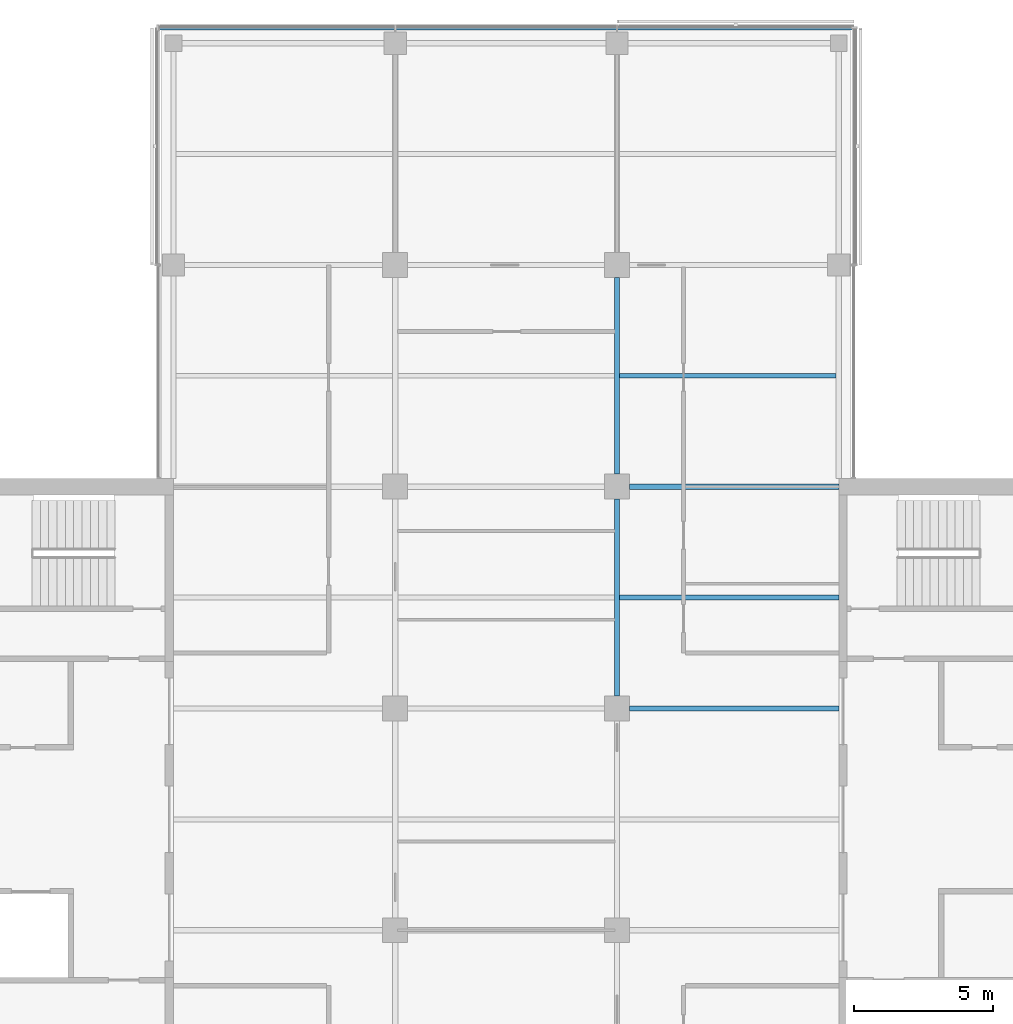
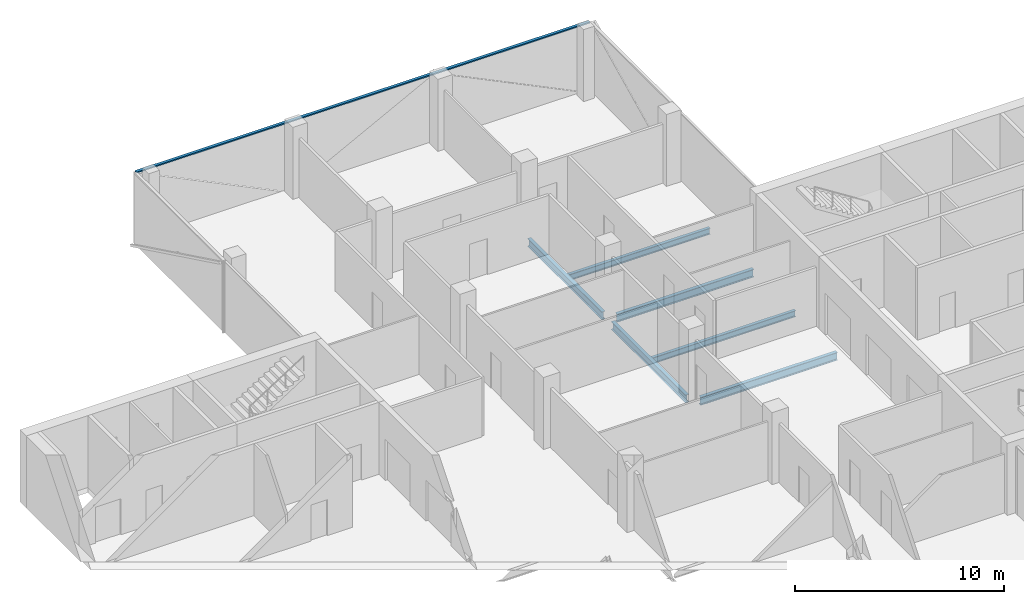
# One storey, part 6 of 15: 6 beams, 1 member, 1 element without a shape of its own.
"""IFC4 building model written with IfcOpenShell, lengths in metres."""

import ifcopenshell
import ifcopenshell.guid

model = None  # the IFC model being written
_history = None  # IfcOwnerHistory: only IFC2X3 demands one
_inside = {}  # id of a spatial element -> (the spatial element, [elements in it])
_under = {}  # id of a project, library or spatial element -> (it, [spatial elements below it])
_declared = {}  # id of a project -> (the project, [libraries it declares])
_typed = {}  # id of a type object -> (the type object, [elements of that type])
_made_of = {}  # id of a material, layer set ... -> (it, [elements and type objects made of it])


def new_model(schema):
    """Start an empty IFC model of exactly this schema.

    Asked for "IFC4X3", IfcOpenShell would pick the latest addendum, in which some entities
    have other attributes; the version numbers below select the first issue.
    IFC2X3 requires an IfcOwnerHistory on every rooted entity: one is made here for all.
    """
    global model, _history
    if schema == "IFC4X3":
        model = ifcopenshell.file(schema_version=(4, 3, 0, 0))
    else:
        model = ifcopenshell.file(schema=schema)
    _inside.clear()
    _under.clear()
    _declared.clear()
    _typed.clear()
    _made_of.clear()
    _history = None
    if model.schema == "IFC2X3":
        org = make("IfcOrganization", Name="unknown")
        user = make(
            "IfcPersonAndOrganization",
            ThePerson=make("IfcPerson", FamilyName="unknown"),
            TheOrganization=org,
        )
        app = make(
            "IfcApplication",
            ApplicationDeveloper=org,
            Version="unknown",
            ApplicationFullName="unknown",
            ApplicationIdentifier="unknown",
        )
        _history = make(
            "IfcOwnerHistory",
            OwningUser=user,
            OwningApplication=app,
            ChangeAction="ADDED",
            CreationDate=0,
        )
    return model


def make(cls, **values):
    """One entity of the class cls with the attributes given. An attribute that is None is left unset."""
    return model.create_entity(
        cls, **{name: value for name, value in values.items() if value is not None}
    )


def rooted(cls, **values):
    """An entity with a GlobalId (a new one), such as an element, a storey or a relation."""
    return make(cls, GlobalId=ifcopenshell.guid.new(), OwnerHistory=_history, **values)


def si_unit(unit_type, name, prefix=None):
    """IfcSIUnit, for example si_unit("LENGTHUNIT", "METRE", prefix="MILLI")."""
    return make("IfcSIUnit", UnitType=unit_type, Prefix=prefix, Name=name)


def assignment(units):
    """IfcUnitAssignment: the units of a project."""
    return None if units is None else make("IfcUnitAssignment", Units=units)


def point(xyz):
    """IfcCartesianPoint."""
    return None if xyz is None else make("IfcCartesianPoint", Coordinates=xyz)


def direction(xyz):
    """IfcDirection."""
    return None if xyz is None else make("IfcDirection", DirectionRatios=xyz)


def frame(location, z_axis=None, x_axis=None):
    """IfcAxis2Placement3D, a coordinate frame: its origin and axes. An axis left out is left unset."""
    return make(
        "IfcAxis2Placement3D",
        Location=point(location),
        Axis=direction(z_axis),
        RefDirection=direction(x_axis),
    )


def frame_2d(location, x_axis=None):
    """IfcAxis2Placement2D, a coordinate frame in the plane: its origin and x axis."""
    return make(
        "IfcAxis2Placement2D", Location=point(location), RefDirection=direction(x_axis)
    )


def origin():
    """The frame at (0, 0, 0) with its axes left unset."""
    return frame((0.0, 0.0, 0.0))


def origin_2d():
    """The frame at (0, 0) in the plane with its x axis left unset."""
    return frame_2d((0.0, 0.0))


def place(relative_to, where):
    """IfcLocalPlacement: puts the frame where relative to a parent placement (None: the world)."""
    return make(
        "IfcLocalPlacement", PlacementRelTo=relative_to, RelativePlacement=where
    )


def context(
    kind, dimensions, precision=None, world=None, true_north=None, identifier=None
):
    """IfcGeometricRepresentationContext, for example the 3D "Model" context."""
    return make(
        "IfcGeometricRepresentationContext",
        ContextIdentifier=identifier,
        ContextType=kind,
        CoordinateSpaceDimension=dimensions,
        Precision=precision,
        WorldCoordinateSystem=world,
        TrueNorth=true_north,
    )


def subcontext(parent, identifier, kind, view, scale=None):
    """IfcGeometricRepresentationSubContext, for example "Body" below "Model"."""
    return make(
        "IfcGeometricRepresentationSubContext",
        ContextIdentifier=identifier,
        ContextType=kind,
        ParentContext=parent,
        TargetScale=scale,
        TargetView=view,
    )


def project(units=None, contexts=None):
    """IfcProject with its units and contexts."""
    return rooted(
        "IfcProject",
        Name="project",
        RepresentationContexts=contexts,
        UnitsInContext=assignment(units),
    )


def spatial(cls, under=None, at=None, **own):
    """A site, building, storey or space (cls), placed at a placement, below another one or the project."""
    s = rooted(cls, ObjectPlacement=at, **own)
    if under is not None:
        _under.setdefault(under.id(), (under, []))[1].append(s)
    return s


def profile(cls, at=None, kind="AREA", **sizes):
    """A parametric profile (cls). Its sizes go by their IFC names, for example OverallWidth=200.0."""
    return make(cls, ProfileType=kind, Position=at, **sizes)


def rectangle(**sizes):
    """IfcRectangleProfileDef."""
    return profile("IfcRectangleProfileDef", **sizes)


def i_section(**sizes):
    """IfcIShapeProfileDef."""
    return profile("IfcIShapeProfileDef", **sizes)


def extrude(swept, where, along, depth):
    """IfcExtrudedAreaSolid: the profile swept, set in the frame where, extruded along a direction by depth."""
    return make(
        "IfcExtrudedAreaSolid",
        SweptArea=swept,
        Position=where,
        ExtrudedDirection=direction(along),
        Depth=depth,
    )


def shape(context_of_items, identifier, shape_type, items):
    """IfcShapeRepresentation: the items that make up one representation, for example the "Body"."""
    return make(
        "IfcShapeRepresentation",
        ContextOfItems=context_of_items,
        RepresentationIdentifier=identifier,
        RepresentationType=shape_type,
        Items=items,
    )


def material(Name=None, Category=None):
    """IfcMaterial."""
    return make("IfcMaterial", Name=Name, Category=Category)


def material_profile(
    of_material, cross_section, Name=None, Category=None, Priority=None
):
    """IfcMaterialProfile: a cross section and its material."""
    return make(
        "IfcMaterialProfile",
        Name=Name,
        Material=of_material,
        Profile=cross_section,
        Priority=Priority,
        Category=Category,
    )


def profile_set(profiles, Name=None, composite=None):
    """IfcMaterialProfileSet."""
    return make(
        "IfcMaterialProfileSet",
        Name=Name,
        MaterialProfiles=profiles,
        CompositeProfile=composite,
    )


def made_of(thing, what):
    """Note that an element or type object is made of a material, layer set ...; save() writes the relation."""
    if what is not None:
        _made_of.setdefault(what.id(), (what, []))[1].append(thing)
    return thing


def type_object(cls, material=None, **own):
    """A type object (cls), such as IfcWallType, which elements share."""
    return made_of(rooted(cls, **own), material)


def element(
    cls,
    number,
    at=None,
    inside=None,
    cuts=None,
    type_object=None,
    material=None,
    context=None,
    identifier="Body",
    shape_type=None,
    held_by="IfcProductDefinitionShape",
    body=None,
    shapes=None,
    **own,
):
    """One element of the class cls, such as IfcWall. Its Tag is "e" and its number.

    at: its placement. inside: the storey or other place that contains it. cuts: it is an
    opening in that element (IfcRelVoidsElement). A single representation is given by context,
    identifier, shape_type and body (its items); several are given by shapes. held_by: the class
    of the entity that holds the representations. save() writes the other relations.
    """
    e = rooted(cls, Tag="e%d" % number, ObjectPlacement=at, **own)
    if body is not None:
        shapes = [shape(context, identifier, shape_type, body)]
    if shapes is not None:
        e.Representation = make(held_by, Representations=shapes)
    if inside is not None:
        _inside.setdefault(inside.id(), (inside, []))[1].append(e)
    if cuts is not None:
        rooted(
            "IfcRelVoidsElement", RelatingBuildingElement=cuts, RelatedOpeningElement=e
        )
    if type_object is not None:
        _typed.setdefault(type_object.id(), (type_object, []))[1].append(e)
    return made_of(e, material)


def aggregate(whole, parts):
    """IfcRelAggregates: a whole, such as a stair, and the parts it consists of."""
    return rooted("IfcRelAggregates", RelatingObject=whole, RelatedObjects=parts)


def save(model, path):
    """Write the relations noted so far, then the file.

    IfcRelAggregates (storeys below a building ...), IfcRelContainedInSpatialStructure (elements
    in a storey), IfcRelDefinesByType, IfcRelAssociatesMaterial and IfcRelDeclares: one each for
    every whole, place, type object, material and project.
    """
    for whole, parts in _under.values():
        aggregate(whole, parts)
    for where, things in _inside.values():
        rooted(
            "IfcRelContainedInSpatialStructure",
            RelatedElements=things,
            RelatingStructure=where,
        )
    for kind, things in _typed.values():
        rooted("IfcRelDefinesByType", RelatedObjects=things, RelatingType=kind)
    for what, things in _made_of.values():
        rooted("IfcRelAssociatesMaterial", RelatedObjects=things, RelatingMaterial=what)
    for by, libraries in _declared.values():
        rooted("IfcRelDeclares", RelatingContext=by, RelatedDefinitions=libraries)
    model.write(path)


model = new_model("IFC4")

# Units and contexts
model_context = context("Model", 3, precision=1e-05, world=origin(), true_north=direction((0.0, 1.0)))
body_context = subcontext(model_context, "Body", "Model", "MODEL_VIEW")
ifc_project = project(units=[si_unit("LENGTHUNIT", "METRE"), si_unit("AREAUNIT", "SQUARE_METRE"), si_unit("VOLUMEUNIT", "CUBIC_METRE"), si_unit("PLANEANGLEUNIT", "RADIAN"), si_unit("MASSUNIT", "GRAM", prefix="KILO")], contexts=[model_context])

# Site, building, storey
site_placement = place(None, origin())
site = spatial("IfcSite", under=ifc_project, at=site_placement, CompositionType="ELEMENT")
building_placement = place(site_placement, origin())
building = spatial("IfcBuilding", under=site, at=building_placement, Name="Crosswind Convention Tower", CompositionType="ELEMENT")
storey_placement = place(building_placement, frame((0.0, 0.0, 204.10009765625)))
storey = spatial("IfcBuildingStorey", under=building, at=storey_placement, Name="L43", CompositionType="ELEMENT", Elevation=204.10009765625)

# Beams
ifc_material_1 = material(Name="Steel S355", Category="steel")
ifc_material_profile_1 = material_profile(ifc_material_1, i_section(OverallWidth=0.1904296875, OverallDepth=0.457275390625, WebThickness=0.009033203125, FlangeThickness=0.014404296875, FilletRadius=0.01025390625, at=origin_2d()), Name="UB 457x191x75")
ifc_profile_set_1 = profile_set([ifc_material_profile_1], Name="Steel S355")
beam_type_1 = type_object("IfcBeamType", Name="Girder UB 457x191x75", PredefinedType="BEAM", material=ifc_profile_set_1)
for number, where, z_axis, x_axis, name in (
    (1, (129.0, 104.449951171875, -0.52880859375), (0.0, 1.0, 0.0), (-1.0, 0.0, 0.0), "B2 L43 girder 20"),
    (2, (129.0, 112.449951171875, -0.52880859375), (0.0, 1.0, 0.0), (-1.0, 0.0, 0.0), "B2 L43 girder 21"),
):
    element("IfcBeam", number, at=place(storey_placement, frame(where, z_axis=z_axis, x_axis=x_axis)), inside=storey, type_object=beam_type_1, Name=name, PredefinedType="BEAM", context=body_context, shape_type="SweptSolid", body=[
        extrude(i_section(OverallWidth=0.1904296875, OverallDepth=0.457275390625, WebThickness=0.009033203125, FlangeThickness=0.014404296875, FilletRadius=0.01025390625, at=origin_2d()), origin(), (0.0, 0.0, 1.0), 7.10009765625),
    ])
ifc_material_profile_2 = material_profile(ifc_material_1, i_section(OverallWidth=0.19140625, OverallDepth=0.460205078125, WebThickness=0.010009765625, FlangeThickness=0.01611328125, FilletRadius=0.01025390625, at=origin_2d()), Name="UB 457x191x82")
ifc_profile_set_2 = profile_set([ifc_material_profile_2], Name="Steel S355")
beam_type_2 = type_object("IfcBeamType", Name="Girder at core wall UB 457x191x82", PredefinedType="BEAM", material=ifc_profile_set_2)
for number, where, z_axis, x_axis, name in (
    (3, (129.449951171875, 104.0, -0.5302734375), (1.0, 0.0, 0.0), (0.0, 1.0, 0.0), "B23 L43 girder at core wall 7"),
    (4, (129.449951171875, 112.0, -0.5302734375), (1.0, 0.0, 0.0), (0.0, 1.0, 0.0), "B23 L43 girder at core wall 8"),
):
    element("IfcBeam", number, at=place(storey_placement, frame(where, z_axis=z_axis, x_axis=x_axis)), inside=storey, type_object=beam_type_2, Name=name, PredefinedType="BEAM", context=body_context, shape_type="SweptSolid", body=[
        extrude(i_section(OverallWidth=0.19140625, OverallDepth=0.460205078125, WebThickness=0.010009765625, FlangeThickness=0.01611328125, FilletRadius=0.01025390625, at=origin_2d()), origin(), (0.0, 0.0, 1.0), 7.550048828125),
    ])
ifc_material_profile_3 = material_profile(ifc_material_1, i_section(OverallWidth=0.172119140625, OverallDepth=0.358642578125, WebThickness=0.008056640625, FlangeThickness=0.012939453125, FilletRadius=0.01025390625, at=origin_2d()), Name="UB 356x171x57")
ifc_profile_set_3 = profile_set([ifc_material_profile_3], Name="Steel S355")
beam_type_3 = type_object("IfcBeamType", Name="Secondary beam UB 356x171x57", PredefinedType="JOIST", material=ifc_profile_set_3)
beam_1_placement = place(storey_placement, frame((129.09521484375, 108.0, -0.4794921875), z_axis=(1.0, 0.0, 0.0), x_axis=(0.0, 1.0, 0.0)))
element("IfcBeam", 5, at=beam_1_placement, inside=storey, type_object=beam_type_3, Name="B9 L43 secondary beam 19", PredefinedType="JOIST", context=body_context, shape_type="SweptSolid", body=[
    extrude(i_section(OverallWidth=0.172119140625, OverallDepth=0.358642578125, WebThickness=0.008056640625, FlangeThickness=0.012939453125, FilletRadius=0.01025390625, at=origin_2d()), origin(), (0.0, 0.0, 1.0), 7.90478515625),
])
beam_2_placement = place(storey_placement, frame((129.09521484375, 116.0, -0.4794921875), z_axis=(1.0, 0.0, 0.0), x_axis=(0.0, 1.0, 0.0)))
element("IfcBeam", 6, at=beam_2_placement, inside=storey, type_object=beam_type_3, Name="B9 L43 secondary beam 20", PredefinedType="JOIST", context=body_context, shape_type="SweptSolid", body=[
    extrude(i_section(OverallWidth=0.172119140625, OverallDepth=0.358642578125, WebThickness=0.008056640625, FlangeThickness=0.012939453125, FilletRadius=0.01025390625, at=origin_2d()), origin(), (0.0, 0.0, 1.0), 7.809814453125),
])

# Curtain wall, member
ifc_material_2 = material(Name="Aluminium unitised curtain wall", Category="aluminium")
curtain_wall_type = type_object("IfcCurtainWallType", Name="OFFICE UNITISED WALL 220", PredefinedType="USERDEFINED", material=ifc_material_2)
curtain_wall_placement = place(storey_placement, origin())
curtain_wall = element("IfcCurtainWall", 7, at=curtain_wall_placement, inside=storey, type_object=curtain_wall_type, Name="CW3 L43 N-TIP 1", ObjectType="UNITISED", PredefinedType="USERDEFINED")
ifc_material_3 = material(Name="Aluminium transom", Category="aluminium")
ifc_material_profile_4 = material_profile(ifc_material_3, rectangle(XDim=0.159912109375, YDim=0.070068359375, at=origin_2d()), Name="AL 160X70")
ifc_profile_set_4 = profile_set([ifc_material_profile_4], Name="Aluminium transom")
member_type = type_object("IfcMemberType", Name="TRANSOM 70X160", PredefinedType="USERDEFINED", material=ifc_profile_set_4)
member_placement = place(storey_placement, frame((137.52490234375, 128.56005859375, 3.864990234375), z_axis=(-1.0, 0.0, 0.0), x_axis=(0.0, -1.0, 0.0)))
member = element("IfcMember", 8, at=member_placement, type_object=member_type, Name="CW3 transom", ObjectType="TRANSOM", PredefinedType="USERDEFINED", context=body_context, shape_type="SweptSolid", body=[
    extrude(rectangle(XDim=0.159912109375, YDim=0.070068359375, at=origin_2d()), origin(), (0.0, 0.0, 1.0), 25.0498046875),
])
aggregate(curtain_wall, [member])

save(model, "model.ifc")
